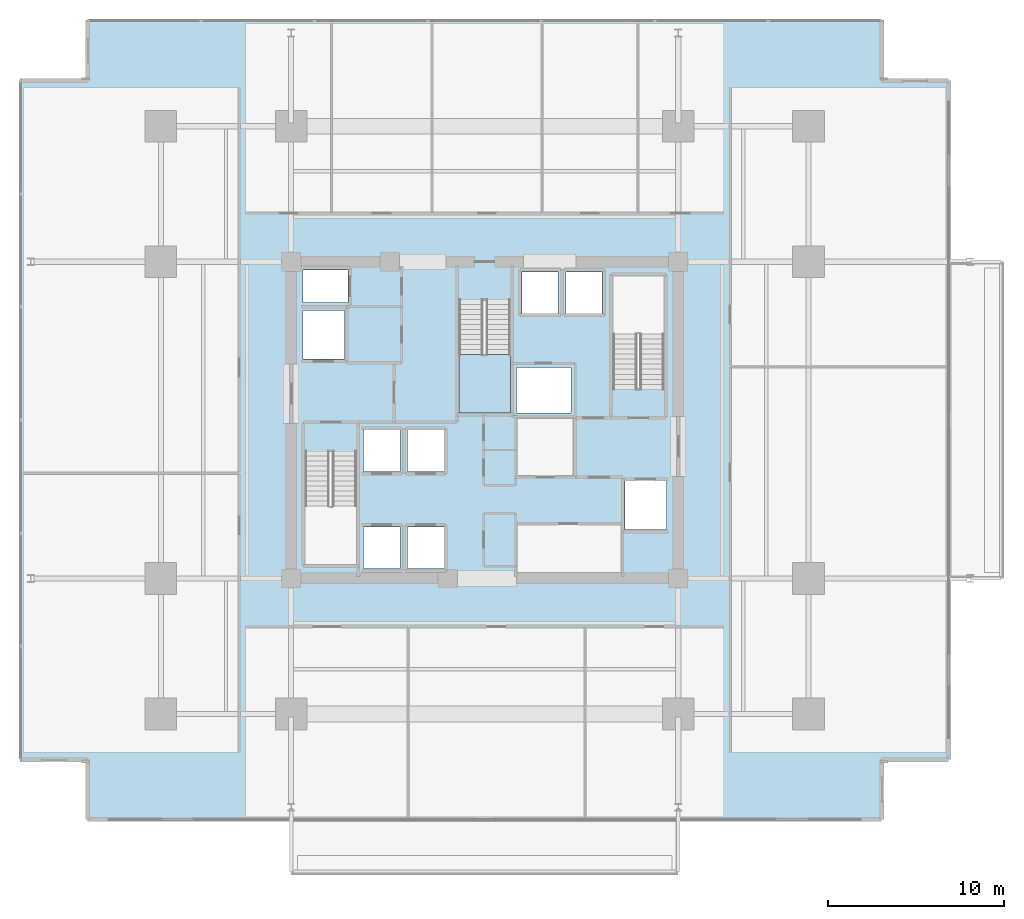
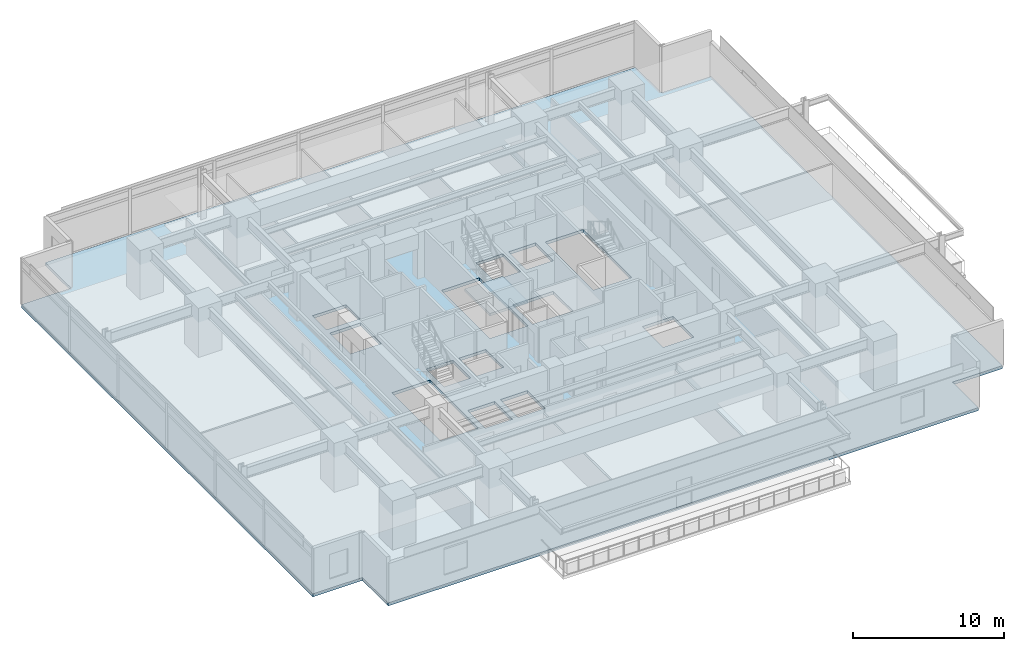
# One storey, part 13 of 23: 2 slabs, 1 element without a shape of its own.
"""IFC4 building model written with IfcOpenShell, lengths in metres."""

from ifc_helpers import new_model, si_unit, direction, frame, origin, place, context, subcontext, project, spatial, polyline, outline, extrude, material, layer, layer_set, type_object, element, aggregate, save


model = new_model("IFC4")

# Units and contexts
model_context = context("Model", 3, precision=1e-05, world=origin(), true_north=direction((0.0, 1.0)))
body_context = subcontext(model_context, "Body", "Model", "MODEL_VIEW")
ifc_project = project(units=[si_unit("LENGTHUNIT", "METRE"), si_unit("AREAUNIT", "SQUARE_METRE"), si_unit("VOLUMEUNIT", "CUBIC_METRE"), si_unit("PLANEANGLEUNIT", "RADIAN"), si_unit("MASSUNIT", "GRAM", prefix="KILO")], contexts=[model_context])

# Site, building, storey
site_placement = place(None, origin())
site = spatial("IfcSite", under=ifc_project, at=site_placement, CompositionType="ELEMENT")
building_placement = place(site_placement, origin())
building = spatial("IfcBuilding", under=site, at=building_placement, Name="Kovane Verandah Tower", CompositionType="ELEMENT")
storey_placement = place(building_placement, frame((0.0, 0.0, 91.60009765625)))
storey = spatial("IfcBuildingStorey", under=building, at=storey_placement, Name="L21", CompositionType="ELEMENT", Elevation=91.60009765625)

# Stair, slab
ifc_material = material(Name="Concrete C45/55", Category="concrete")
stair_type = type_object("IfcStairType", Name="ST-CORE-1380", PredefinedType="HALF_TURN_STAIR", material=ifc_material)
stair_placement = place(storey_placement, origin())
stair = element("IfcStair", 1, at=stair_placement, inside=storey, type_object=stair_type, Name="L21 Exit Stair ST-03", PredefinedType="HALF_TURN_STAIR")
ifc_layer_1 = layer(ifc_material, 0.199951171875)
ifc_layer_set_1 = layer_set([ifc_layer_1], Name="Concrete C45/55")
slab_type_1 = type_object("IfcSlabType", Name="SL-LAND-200", PredefinedType="LANDING", material=ifc_layer_set_1)
slab_1_placement = place(storey_placement, frame((0.0, 0.0, 1.7998046875)))
slab_1 = element("IfcSlab", 2, at=slab_1_placement, type_object=slab_type_1, Name="ST-03 landing 1", PredefinedType="LANDING", context=body_context, shape_type="SweptSolid", body=[
    extrude(outline(polyline([(38.5400390625, 31.215087890625), (38.5400390625, 27.89990234375), (41.4599609375, 27.89990234375), (41.4599609375, 31.215087890625), (38.5400390625, 31.215087890625)])), origin(), (0.0, 0.0, 1.0), 0.2001953125),
])
aggregate(stair, [slab_1])

# Slab
ifc_layer_2 = layer(ifc_material, 0.239990234375)
ifc_layer_set_2 = layer_set([ifc_layer_2], Name="Concrete C45/55")
slab_type_2 = type_object("IfcSlabType", Name="SL-TYP-240", PredefinedType="FLOOR", material=ifc_layer_set_2)
slab_2_placement = place(storey_placement, frame((0.0, 0.0, -0.239990234375)))
element("IfcSlab", 3, at=slab_2_placement, inside=storey, type_object=slab_type_2, Name="L21 Structural Floor Slab", PredefinedType="FLOOR", context=body_context, shape_type="SweptSolid", body=[
    extrude(outline(polyline([(17.435791015625, 4.80517578125), (62.564208984375, 4.80517578125), (62.564208984375, 8.205078125), (66.364013671875, 8.205078125), (66.364013671875, 46.794921875), (62.564208984375, 46.794921875), (62.564208984375, 50.19482421875), (17.435791015625, 50.19482421875), (17.435791015625, 46.794921875), (13.635986328125, 46.794921875), (13.635986328125, 8.205078125), (17.435791015625, 8.205078125), (17.435791015625, 4.80517578125)]), holes=[polyline([(29.800048828125, 19.300048828125), (32.719970703125, 19.300048828125), (32.719970703125, 25.705078125), (29.800048828125, 25.705078125), (29.800048828125, 19.300048828125)]), polyline([(47.280029296875, 29.294921875), (50.199951171875, 29.294921875), (50.199951171875, 35.699951171875), (47.280029296875, 35.699951171875), (47.280029296875, 29.294921875)]), polyline([(38.5400390625, 27.89990234375), (41.4599609375, 27.89990234375), (41.4599609375, 34.304931640625), (38.5400390625, 34.304931640625), (38.5400390625, 27.89990234375)]), polyline([(29.669921875, 30.969970703125), (32.030029296875, 30.969970703125), (32.030029296875, 33.72998046875), (29.669921875, 33.72998046875), (29.669921875, 30.969970703125)]), polyline([(47.969970703125, 21.27001953125), (50.330078125, 21.27001953125), (50.330078125, 24.030029296875), (47.969970703125, 24.030029296875), (47.969970703125, 21.27001953125)]), polyline([(29.669921875, 34.169921875), (32.22998046875, 34.169921875), (32.22998046875, 36.030029296875), (29.669921875, 36.030029296875), (29.669921875, 34.169921875)]), polyline([(33.1201171875, 19.070068359375), (35.179931640625, 19.070068359375), (35.179931640625, 21.429931640625), (33.1201171875, 21.429931640625), (33.1201171875, 19.070068359375)]), polyline([(35.6201171875, 19.070068359375), (37.679931640625, 19.070068359375), (37.679931640625, 21.429931640625), (35.6201171875, 21.429931640625), (35.6201171875, 19.070068359375)]), polyline([(33.1201171875, 24.570068359375), (35.179931640625, 24.570068359375), (35.179931640625, 26.929931640625), (33.1201171875, 26.929931640625), (33.1201171875, 24.570068359375)]), polyline([(35.6201171875, 24.570068359375), (37.679931640625, 24.570068359375), (37.679931640625, 26.929931640625), (35.6201171875, 26.929931640625), (35.6201171875, 24.570068359375)]), polyline([(42.1201171875, 33.570068359375), (44.179931640625, 33.570068359375), (44.179931640625, 35.929931640625), (42.1201171875, 35.929931640625), (42.1201171875, 33.570068359375)]), polyline([(44.6201171875, 33.570068359375), (46.679931640625, 33.570068359375), (46.679931640625, 35.929931640625), (44.6201171875, 35.929931640625), (44.6201171875, 33.570068359375)]), polyline([(41.800048828125, 27.89990234375), (44.89990234375, 27.89990234375), (44.89990234375, 30.5), (41.800048828125, 30.5), (41.800048828125, 27.89990234375)])]), origin(), (0.0, 0.0, 1.0), 0.239990234375),
])

save(model, "model.ifc")
